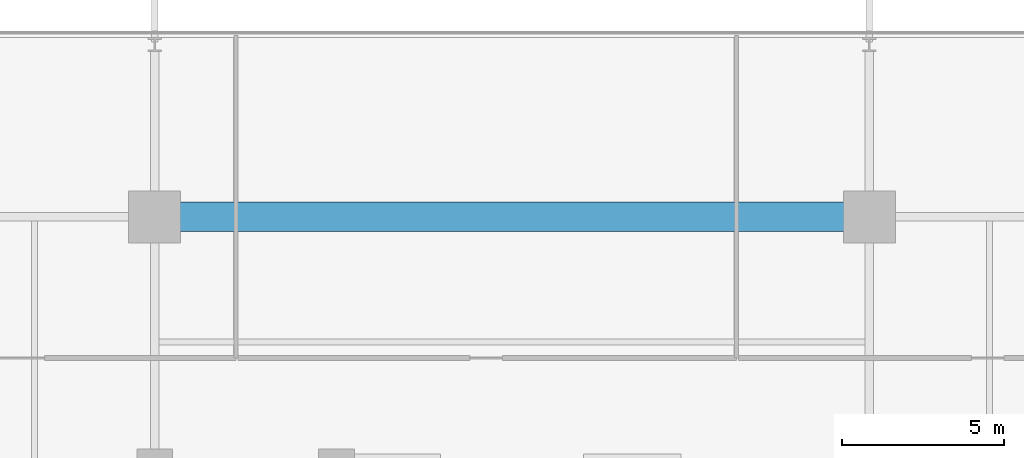
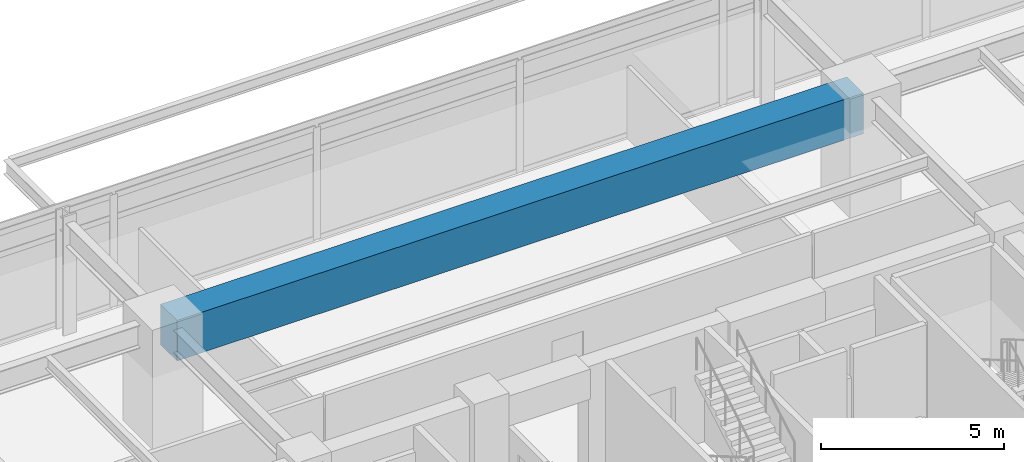
# One storey, part 8 of 24: 1 beam.
"""IFC4 building model written with IfcOpenShell, lengths in metres."""

from ifc_helpers import new_model, si_unit, direction, frame, origin, origin_2d, place, context, subcontext, project, spatial, rectangle, extrude, material, material_profile, profile_set, type_object, element, save


model = new_model("IFC4")

# Units and contexts
model_context = context("Model", 3, precision=1e-05, world=origin(), true_north=direction((0.0, 1.0)))
body_context = subcontext(model_context, "Body", "Model", "MODEL_VIEW")
ifc_project = project(units=[si_unit("LENGTHUNIT", "METRE"), si_unit("AREAUNIT", "SQUARE_METRE"), si_unit("VOLUMEUNIT", "CUBIC_METRE"), si_unit("PLANEANGLEUNIT", "RADIAN"), si_unit("MASSUNIT", "GRAM", prefix="KILO")], contexts=[model_context])

# Site, building, storey
site_placement = place(None, origin())
site = spatial("IfcSite", under=ifc_project, at=site_placement, CompositionType="ELEMENT")
building_placement = place(site_placement, origin())
building = spatial("IfcBuilding", under=site, at=building_placement, Name="Kovane Verandah Tower", CompositionType="ELEMENT")
storey_placement = place(building_placement, frame((0.0, 0.0, 144.39990234375)))
storey = spatial("IfcBuildingStorey", under=building, at=storey_placement, Name="L33", CompositionType="ELEMENT", Elevation=144.39990234375)

# Beam
ifc_material = material(Name="Concrete C80/95", Category="concrete")
ifc_material_profile = material_profile(ifc_material, rectangle(XDim=0.89990234375, YDim=1.35009765625, at=origin_2d()), Name="RCB900x1350")
ifc_profile_set = profile_set([ifc_material_profile], Name="Concrete C80/95")
beam_type = type_object("IfcBeamType", Name="BM-TR-900x1350", PredefinedType="BEAM", material=ifc_profile_set)
beam_placement = place(storey_placement, frame((29.179931640625, 44.199951171875, 3.10009765625), z_axis=(1.0, 0.0, 0.0), x_axis=(0.0, 1.0, 0.0)))
element("IfcBeam", 1, at=beam_placement, inside=storey, type_object=beam_type, Name="L33 Primary Tower Girder G-RN2", PredefinedType="BEAM", context=body_context, shape_type="SweptSolid", body=[
    extrude(rectangle(XDim=0.89990234375, YDim=1.35009765625, at=origin_2d()), origin(), (0.0, 0.0, 1.0), 21.64013671875),
])

save(model, "model.ifc")
